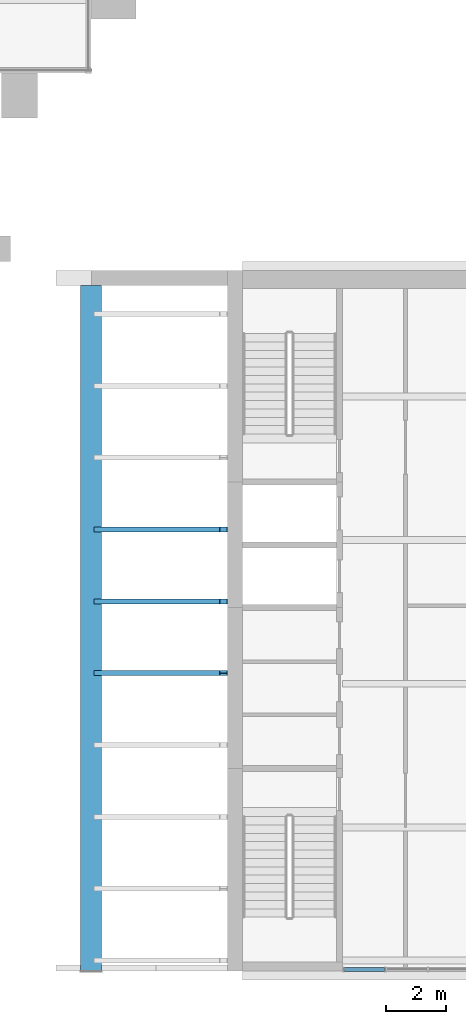
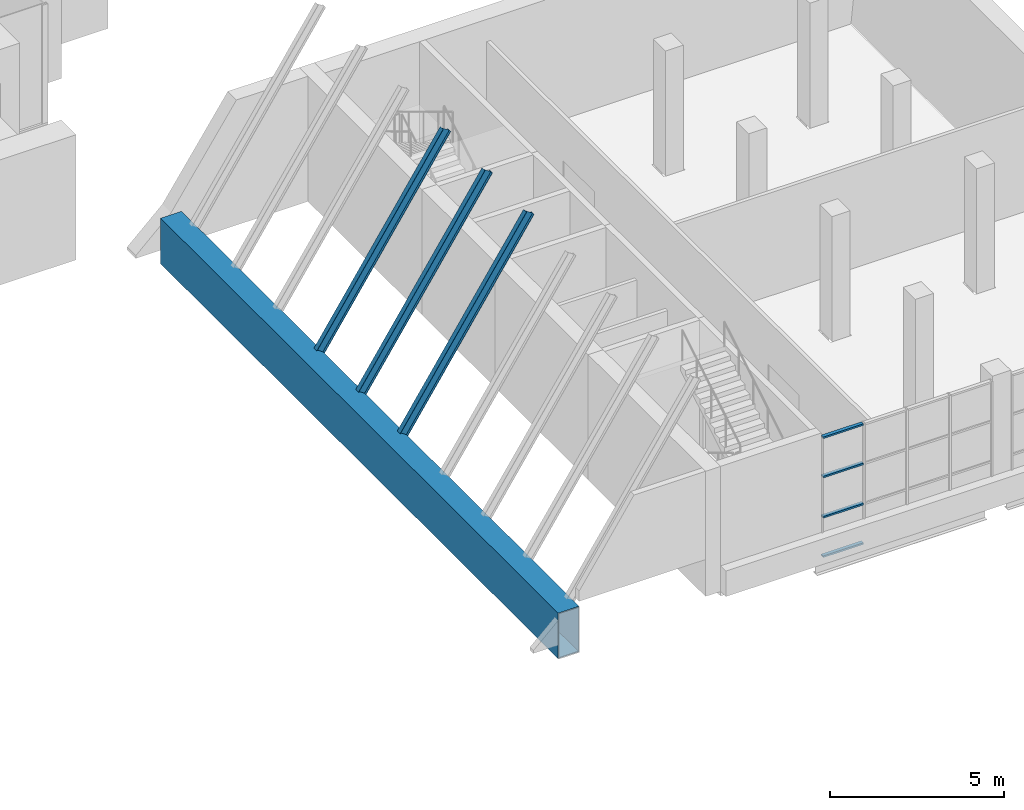
# One storey, part 9 of 32: 4 beams, 4 members, 1 element without a shape of its own.
"""IFC4 building model written with IfcOpenShell, lengths in metres."""

from ifc_helpers import new_model, si_unit, direction, frame, origin, origin_2d, place, context, subcontext, project, spatial, hollow_rectangle, i_section, extrude, material, layer, layer_set, material_profile, profile_set, type_object, element, aggregate, save


model = new_model("IFC4")

# Units and contexts
model_context = context("Model", 3, precision=1e-05, world=origin(), true_north=direction((0.0, 1.0)))
body_context = subcontext(model_context, "Body", "Model", "MODEL_VIEW")
ifc_project = project(units=[si_unit("LENGTHUNIT", "METRE"), si_unit("AREAUNIT", "SQUARE_METRE"), si_unit("VOLUMEUNIT", "CUBIC_METRE"), si_unit("PLANEANGLEUNIT", "RADIAN"), si_unit("MASSUNIT", "GRAM", prefix="KILO")], contexts=[model_context])

# Site, building, storey
site_placement = place(None, origin())
site = spatial("IfcSite", under=ifc_project, at=site_placement, CompositionType="ELEMENT")
building_placement = place(site_placement, origin())
building = spatial("IfcBuilding", under=site, at=building_placement, Name="Baori Bourse Tower", CompositionType="ELEMENT")
storey_placement = place(building_placement, frame((0.0, 0.0, 21.39990234375)))
storey = spatial("IfcBuildingStorey", under=building, at=storey_placement, Name="L03", CompositionType="ELEMENT", Elevation=21.39990234375)

# Beams
ifc_material_1 = material(Name="Steel A572 Gr 50", Category="steel")
ifc_material_profile_1 = material_profile(ifc_material_1, hollow_rectangle(XDim=0.699951171875, YDim=1.60009765625, WallThickness=0.030029296875, at=origin_2d()), Name="BOX 1600x700x30")
ifc_profile_set_1 = profile_set([ifc_material_profile_1], Name="Steel A572 Gr 50")
beam_type_1 = type_object("IfcBeamType", Name="Hall box girder 1600x700", PredefinedType="BEAM", material=ifc_profile_set_1)
beam_placement = place(storey_placement, frame((52.800048828125, -25.199951171875, 0.326904296875), z_axis=(0.0, 1.0, 0.0), x_axis=(-1.0, 0.0, 0.0)))
element("IfcBeam", 1, at=beam_placement, inside=storey, type_object=beam_type_1, Name="wing/L03/girder/002", PredefinedType="BEAM", context=body_context, shape_type="SweptSolid", body=[
    extrude(hollow_rectangle(XDim=0.699951171875, YDim=1.60009765625, WallThickness=0.030029296875, at=origin_2d()), origin(), (0.0, 0.0, 1.0), 22.89990234375),
])
ifc_material_2 = material(Name="Steel A992 Gr 50", Category="steel")
ifc_material_profile_2 = material_profile(ifc_material_2, i_section(OverallWidth=0.164794921875, OverallDepth=0.309814453125, WebThickness=0.005859375, FlangeThickness=0.009765625, at=origin_2d()), Name="W12x26")
ifc_profile_set_2 = profile_set([ifc_material_profile_2], Name="Steel A992 Gr 50")
beam_type_2 = type_object("IfcBeamType", Name="Wing beam W12x26", PredefinedType="BEAM", material=ifc_profile_set_2)
for number, where, z_axis, x_axis, name in (
    (2, (53.02099609375, -15.25, 1.212646484375), (0.553370739952, 0.0, 0.832935065995), (0.0, 1.0, 0.0), "wing/L03/purlin/015"),
    (3, (53.02099609375, -12.85009765625, 1.212646484375), (0.553370739952, 0.0, 0.832935065995), (0.0, 1.0, 0.0), "wing/L03/purlin/016"),
    (4, (53.02099609375, -10.449951171875, 1.212646484375), (0.553370739952, 0.0, 0.832935065995), (0.0, 1.0, 0.0), "wing/L03/purlin/017"),
):
    element("IfcBeam", number, at=place(storey_placement, frame(where, z_axis=z_axis, x_axis=x_axis)), inside=storey, type_object=beam_type_2, Name=name, PredefinedType="BEAM", context=body_context, shape_type="SweptSolid", body=[
        extrude(i_section(OverallWidth=0.164794921875, OverallDepth=0.309814453125, WebThickness=0.005859375, FlangeThickness=0.009765625, at=origin_2d()), origin(), (0.0, 0.0, 1.0), 7.58984375),
    ])

# Curtain wall, members
ifc_material_3 = material(Name="Pale anodised aluminium", Category="aluminium")
ifc_layer = layer(ifc_material_3, 0.10009765625)
ifc_layer_set = layer_set([ifc_layer], Name="Wing curtain wall")
curtain_wall_type = type_object("IfcCurtainWallType", Name="Wing curtain wall", PredefinedType="NOTDEFINED", material=ifc_layer_set)
curtain_wall_placement = place(storey_placement, origin())
curtain_wall = element("IfcCurtainWall", 5, at=curtain_wall_placement, inside=storey, type_object=curtain_wall_type, Name="wing/L03/Ecw/003", PredefinedType="NOTDEFINED")
ifc_material_4 = material(Name="Pale anodised aluminium", Category="aluminium")
ifc_material_profile_3 = material_profile(ifc_material_4, hollow_rectangle(XDim=0.1201171875, YDim=0.06005859375, WallThickness=0.0048828125, at=origin_2d()), Name="Transom 120x60x5")
ifc_profile_set_3 = profile_set([ifc_material_profile_3], Name="Pale anodised aluminium")
member_type = type_object("IfcMemberType", Name="Wing transom 120x60", PredefinedType="USERDEFINED", material=ifc_profile_set_3)
member_1_placement = place(storey_placement, frame((61.260009765625, -25.14990234375, 0.030029296875), z_axis=(1.0, 0.0, 0.0), x_axis=(0.0, 1.0, 0.0)))
member_1 = element("IfcMember", 6, at=member_1_placement, type_object=member_type, Name="X12 transom 1.1", ObjectType="TRANSOM", PredefinedType="USERDEFINED", context=body_context, shape_type="SweptSolid", body=[
    extrude(hollow_rectangle(XDim=0.1201171875, YDim=0.06005859375, WallThickness=0.0048828125, at=origin_2d()), origin(), (0.0, 0.0, 1.0), 1.3349609375),
])
member_2_placement = place(storey_placement, frame((61.260009765625, -25.14990234375, 1.413330078125), z_axis=(1.0, 0.0, 0.0), x_axis=(0.0, 1.0, 0.0)))
member_2 = element("IfcMember", 7, at=member_2_placement, type_object=member_type, Name="X12 transom 1.2", ObjectType="TRANSOM", PredefinedType="USERDEFINED", context=body_context, shape_type="SweptSolid", body=[
    extrude(hollow_rectangle(XDim=0.1201171875, YDim=0.06005859375, WallThickness=0.0048828125, at=origin_2d()), origin(), (0.0, 0.0, 1.0), 1.3349609375),
])
member_3_placement = place(storey_placement, frame((61.260009765625, -25.14990234375, 2.82666015625), z_axis=(1.0, 0.0, 0.0), x_axis=(0.0, 1.0, 0.0)))
member_3 = element("IfcMember", 8, at=member_3_placement, type_object=member_type, Name="X12 transom 1.3", ObjectType="TRANSOM", PredefinedType="USERDEFINED", context=body_context, shape_type="SweptSolid", body=[
    extrude(hollow_rectangle(XDim=0.1201171875, YDim=0.06005859375, WallThickness=0.0048828125, at=origin_2d()), origin(), (0.0, 0.0, 1.0), 1.3349609375),
])
member_4_placement = place(storey_placement, frame((61.260009765625, -25.14990234375, 4.210205078125), z_axis=(1.0, 0.0, 0.0), x_axis=(0.0, 1.0, 0.0)))
member_4 = element("IfcMember", 9, at=member_4_placement, type_object=member_type, Name="X12 transom 1.4", ObjectType="TRANSOM", PredefinedType="USERDEFINED", context=body_context, shape_type="SweptSolid", body=[
    extrude(hollow_rectangle(XDim=0.1201171875, YDim=0.06005859375, WallThickness=0.0048828125, at=origin_2d()), origin(), (0.0, 0.0, 1.0), 1.3349609375),
])
aggregate(curtain_wall, [member_1, member_2, member_3, member_4])

save(model, "model.ifc")
